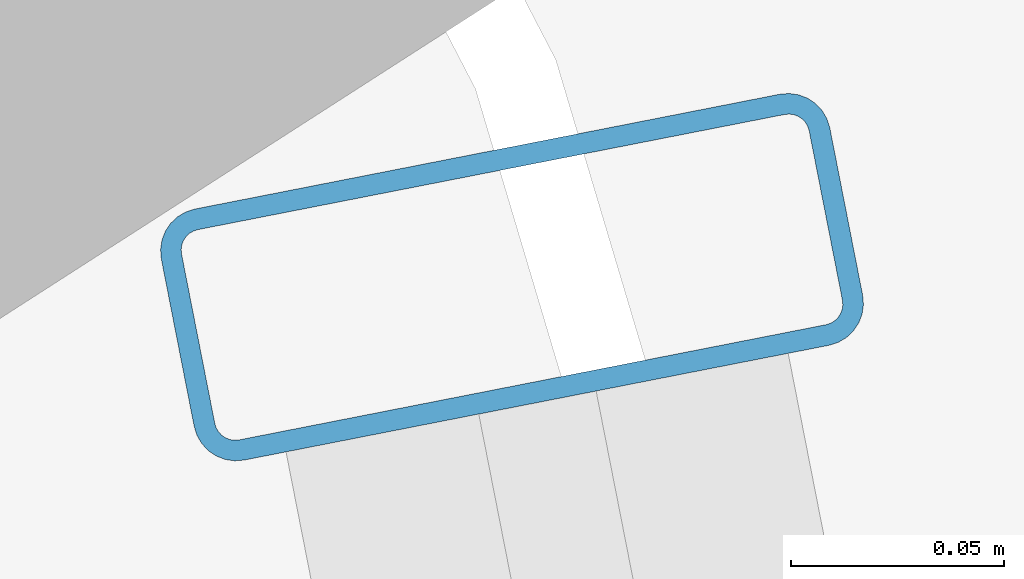
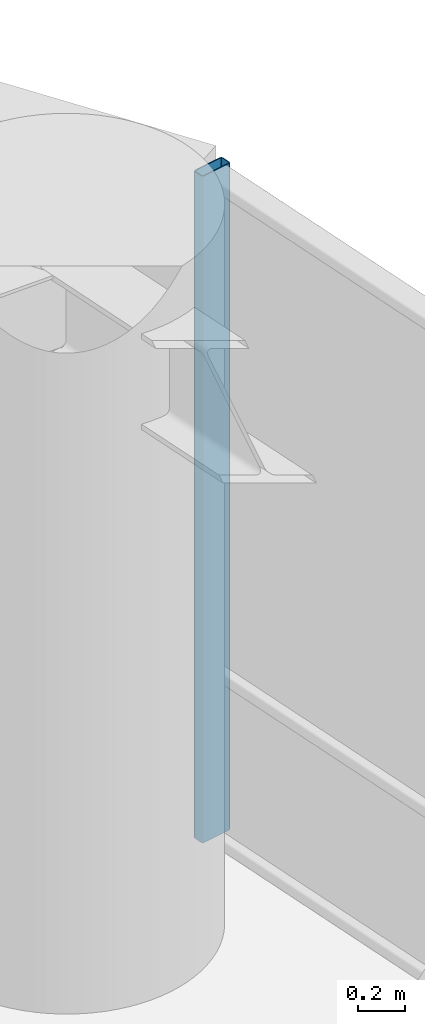
# One storey, part 27 of 35: 1 member, 1 element without a shape of its own.
"""IFC4 building model written with IfcOpenShell, lengths in metres."""

from ifc_helpers import new_model, si_unit, direction, frame, origin, origin_2d, place, context, subcontext, project, spatial, hollow_rectangle, extrude, material, layer, layer_set, material_profile, profile_set, type_object, element, aggregate, save


model = new_model("IFC4")

# Units and contexts
model_context = context("Model", 3, precision=1e-05, world=origin(), true_north=direction((0.0, 1.0)))
body_context = subcontext(model_context, "Body", "Model", "MODEL_VIEW")
ifc_project = project(units=[si_unit("LENGTHUNIT", "METRE"), si_unit("AREAUNIT", "SQUARE_METRE"), si_unit("VOLUMEUNIT", "CUBIC_METRE"), si_unit("PLANEANGLEUNIT", "RADIAN"), si_unit("MASSUNIT", "GRAM", prefix="KILO")], contexts=[model_context])

# Site, building, storey
site_placement = place(None, origin())
site = spatial("IfcSite", under=ifc_project, at=site_placement, CompositionType="ELEMENT")
building_placement = place(site_placement, origin())
building = spatial("IfcBuilding", under=site, at=building_placement, Name="Kelanora Arch Commons", CompositionType="ELEMENT")
storey_placement = place(building_placement, frame((0.0, 0.0, 117.60009765625)))
storey = spatial("IfcBuildingStorey", under=building, at=storey_placement, Name="L30", CompositionType="ELEMENT", Elevation=117.60009765625)

# Curtain wall, member
ifc_material_1 = material(Name="Terracotta ceramic-fritted low-E glass and aluminium", Category="masonry")
ifc_layer = layer(ifc_material_1, 0.159912109375)
ifc_layer_set = layer_set([ifc_layer], Name="Terracotta ceramic-fritted low-E glass and aluminium")
curtain_wall_type = type_object("IfcCurtainWallType", Name="CW-SYS-01", PredefinedType="NOTDEFINED", material=ifc_layer_set)
curtain_wall_placement = place(storey_placement, origin())
curtain_wall = element("IfcCurtainWall", 1, at=curtain_wall_placement, inside=storey, type_object=curtain_wall_type, Name="Unitised Curtain Wall L30-B00", PredefinedType="NOTDEFINED")
ifc_material_2 = material(Name="Powder-coated aluminium terracotta", Category="masonry")
ifc_material_profile = material_profile(ifc_material_2, hollow_rectangle(XDim=0.159912109375, YDim=0.06005859375, WallThickness=0.0048828125, InnerFilletRadius=0.0048828125, OuterFilletRadius=0.010009765625, at=origin_2d()), Name="CWM160x60")
ifc_profile_set = profile_set([ifc_material_profile], Name="Powder-coated aluminium terracotta")
member_type = type_object("IfcMemberType", Name="CWM-STD", PredefinedType="MULLION", material=ifc_profile_set)
member_placement = place(storey_placement, frame((98.064697265625, 65.822265625, 0.0), z_axis=(0.0, 0.0, 1.0), x_axis=(-0.981280311646, -0.192584916272, 0.0)))
member = element("IfcMember", 2, at=member_placement, type_object=member_type, Name="CW-01 mullion 3", PredefinedType="MULLION", context=body_context, shape_type="SweptSolid", body=[
    extrude(hollow_rectangle(XDim=0.159912109375, YDim=0.06005859375, WallThickness=0.0048828125, InnerFilletRadius=0.0048828125, OuterFilletRadius=0.010009765625, at=origin_2d()), origin(), (0.0, 0.0, 1.0), 3.474853515625),
])
aggregate(curtain_wall, [member])

save(model, "model.ifc")
